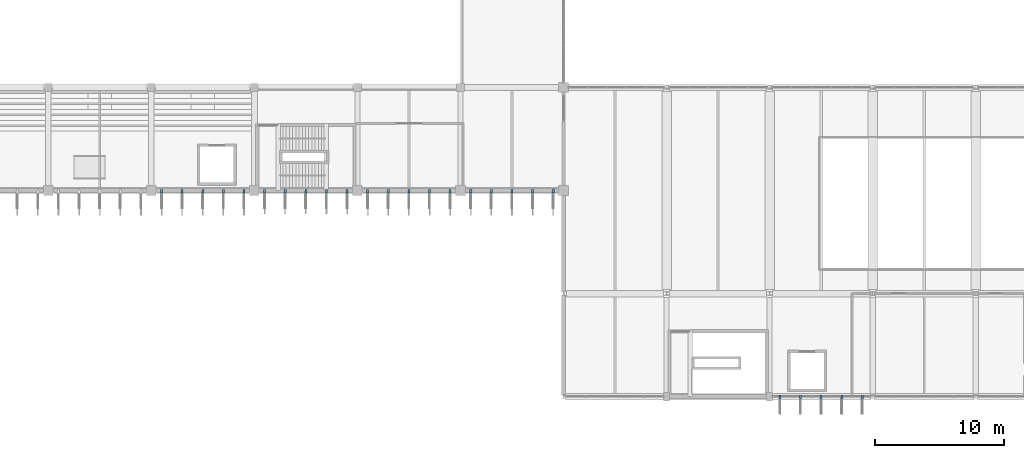
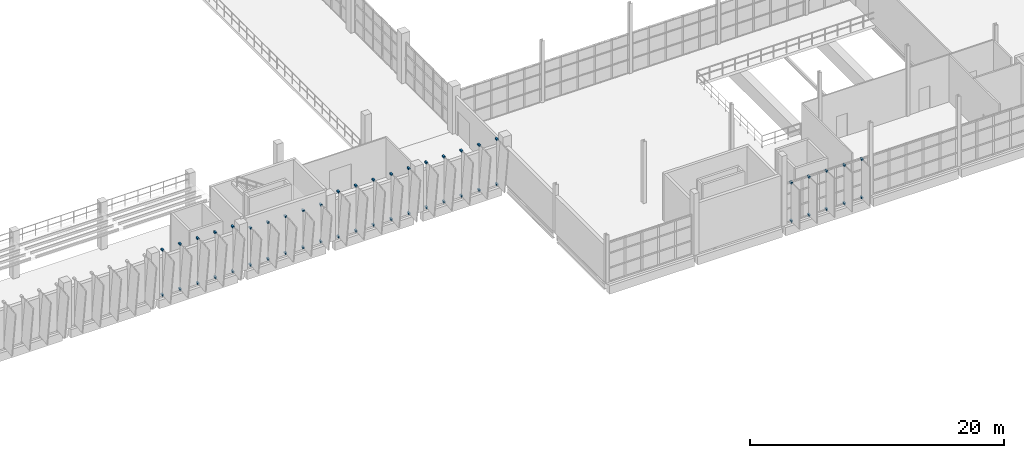
# One storey, part 81 of 93: 50 discrete accessories.
"""IFC4 building model written with IfcOpenShell, lengths in metres."""

from ifc_helpers import new_model, si_unit, direction, frame, origin, origin_2d, place, context, subcontext, project, spatial, rectangle, extrude, material, type_object, element, save


model = new_model("IFC4")

# Units and contexts
model_context = context("Model", 3, precision=1e-05, world=origin(), true_north=direction((0.0, 1.0)))
body_context = subcontext(model_context, "Body", "Model", "MODEL_VIEW")
ifc_project = project(units=[si_unit("LENGTHUNIT", "METRE"), si_unit("AREAUNIT", "SQUARE_METRE"), si_unit("VOLUMEUNIT", "CUBIC_METRE"), si_unit("PLANEANGLEUNIT", "RADIAN"), si_unit("MASSUNIT", "GRAM", prefix="KILO")], contexts=[model_context])

# Site, building, storey
site_placement = place(None, origin())
site = spatial("IfcSite", under=ifc_project, at=site_placement, CompositionType="ELEMENT")
building_placement = place(site_placement, origin())
building = spatial("IfcBuilding", under=site, at=building_placement, Name="Drelvana Railside Aquatics Centre", CompositionType="ELEMENT")
storey_placement = place(building_placement, frame((0.0, 0.0, 5.39990234375)))
storey = spatial("IfcBuildingStorey", under=building, at=storey_placement, Name="L01", CompositionType="ELEMENT", Elevation=5.39990234375)

# Discrete accessories
ifc_material = material(Name="Stainless steel 316 facade bracket", Category="steel")
discrete_accessory_type = type_object("IfcDiscreteAccessoryType", Name="ACC-BRACKET-FIN", PredefinedType="BRACKET", material=ifc_material)
for number, where, z_axis, x_axis, name in (
    (1, (64.800048828125, 15.925048828125, -0.0146484375), (0.0, 0.0, 1.0), (0.0, -1.0, 0.0), "Shading fin bracket BK-0179"),
    (2, (64.800048828125, 15.925048828125, 4.294921875), (0.0, 0.0, 1.0), (0.0, -1.0, 0.0), "Shading fin bracket BK-0180"),
    (3, (66.39990234375, 15.925048828125, -0.0146484375), (0.0, 0.0, 1.0), (0.0, -1.0, 0.0), "Shading fin bracket BK-0181"),
    (4, (66.39990234375, 15.925048828125, 4.294921875), (0.0, 0.0, 1.0), (0.0, -1.0, 0.0), "Shading fin bracket BK-0182"),
    (5, (68.0, 15.925048828125, -0.0146484375), (0.0, 0.0, 1.0), (0.0, -1.0, 0.0), "Shading fin bracket BK-0183"),
    (6, (68.0, 15.925048828125, 4.294921875), (0.0, 0.0, 1.0), (0.0, -1.0, 0.0), "Shading fin bracket BK-0184"),
    (7, (69.60009765625, 15.925048828125, -0.0146484375), (0.0, 0.0, 1.0), (0.0, -1.0, 0.0), "Shading fin bracket BK-0185"),
    (8, (69.60009765625, 15.925048828125, 4.294921875), (0.0, 0.0, 1.0), (0.0, -1.0, 0.0), "Shading fin bracket BK-0186"),
    (9, (71.199951171875, 15.925048828125, -0.0146484375), (0.0, 0.0, 1.0), (0.0, -1.0, 0.0), "Shading fin bracket BK-0187"),
    (10, (71.199951171875, 15.925048828125, 4.294921875), (0.0, 0.0, 1.0), (0.0, -1.0, 0.0), "Shading fin bracket BK-0188"),
    (11, (72.800048828125, 15.929931640625, 0.06494140625), (0.0, 0.0, 1.0), (0.0, -1.0, 0.0), "Shading fin bracket BK-0209"),
    (12, (72.800048828125, 15.929931640625, 3.60498046875), (0.0, 0.0, 1.0), (0.0, -1.0, 0.0), "Shading fin bracket BK-0210"),
    (13, (74.39990234375, 15.929931640625, 0.06494140625), (0.0, 0.0, 1.0), (0.0, -1.0, 0.0), "Shading fin bracket BK-0211"),
    (14, (74.39990234375, 15.929931640625, 3.60498046875), (0.0, 0.0, 1.0), (0.0, -1.0, 0.0), "Shading fin bracket BK-0212"),
    (15, (76.0, 15.929931640625, 0.06494140625), (0.0, 0.0, 1.0), (0.0, -1.0, 0.0), "Shading fin bracket BK-0213"),
    (16, (76.0, 15.929931640625, 3.60498046875), (0.0, 0.0, 1.0), (0.0, -1.0, 0.0), "Shading fin bracket BK-0214"),
    (17, (77.60009765625, 15.929931640625, 0.06494140625), (0.0, 0.0, 1.0), (0.0, -1.0, 0.0), "Shading fin bracket BK-0215"),
    (18, (77.60009765625, 15.929931640625, 3.60498046875), (0.0, 0.0, 1.0), (0.0, -1.0, 0.0), "Shading fin bracket BK-0216"),
    (19, (79.199951171875, 15.929931640625, 0.06494140625), (0.0, 0.0, 1.0), (0.0, -1.0, 0.0), "Shading fin bracket BK-0217"),
    (20, (79.199951171875, 15.929931640625, 3.60498046875), (0.0, 0.0, 1.0), (0.0, -1.0, 0.0), "Shading fin bracket BK-0218"),
    (21, (80.800048828125, 15.925048828125, -0.0146484375), (0.0, 0.0, 1.0), (0.0, -1.0, 0.0), "Shading fin bracket BK-0237"),
    (22, (80.800048828125, 15.925048828125, 4.294921875), (0.0, 0.0, 1.0), (0.0, -1.0, 0.0), "Shading fin bracket BK-0238"),
    (23, (82.39990234375, 15.925048828125, -0.0146484375), (0.0, 0.0, 1.0), (0.0, -1.0, 0.0), "Shading fin bracket BK-0239"),
    (24, (82.39990234375, 15.925048828125, 4.294921875), (0.0, 0.0, 1.0), (0.0, -1.0, 0.0), "Shading fin bracket BK-0240"),
    (25, (84.0, 15.925048828125, -0.0146484375), (0.0, 0.0, 1.0), (0.0, -1.0, 0.0), "Shading fin bracket BK-0241"),
    (26, (84.0, 15.925048828125, 4.294921875), (0.0, 0.0, 1.0), (0.0, -1.0, 0.0), "Shading fin bracket BK-0242"),
    (27, (85.60009765625, 15.925048828125, -0.0146484375), (0.0, 0.0, 1.0), (0.0, -1.0, 0.0), "Shading fin bracket BK-0243"),
    (28, (85.60009765625, 15.925048828125, 4.294921875), (0.0, 0.0, 1.0), (0.0, -1.0, 0.0), "Shading fin bracket BK-0244"),
    (29, (87.199951171875, 15.925048828125, -0.0146484375), (0.0, 0.0, 1.0), (0.0, -1.0, 0.0), "Shading fin bracket BK-0245"),
    (30, (87.199951171875, 15.925048828125, 4.294921875), (0.0, 0.0, 1.0), (0.0, -1.0, 0.0), "Shading fin bracket BK-0246"),
    (31, (88.800048828125, 15.925048828125, -0.0146484375), (0.0, 0.0, 1.0), (0.0, -1.0, 0.0), "Shading fin bracket BK-0269"),
    (32, (88.800048828125, 15.925048828125, 4.294921875), (0.0, 0.0, 1.0), (0.0, -1.0, 0.0), "Shading fin bracket BK-0270"),
    (33, (90.39990234375, 15.925048828125, -0.0146484375), (0.0, 0.0, 1.0), (0.0, -1.0, 0.0), "Shading fin bracket BK-0271"),
    (34, (90.39990234375, 15.925048828125, 4.294921875), (0.0, 0.0, 1.0), (0.0, -1.0, 0.0), "Shading fin bracket BK-0272"),
    (35, (92.0, 15.925048828125, -0.0146484375), (0.0, 0.0, 1.0), (0.0, -1.0, 0.0), "Shading fin bracket BK-0273"),
    (36, (92.0, 15.925048828125, 4.294921875), (0.0, 0.0, 1.0), (0.0, -1.0, 0.0), "Shading fin bracket BK-0274"),
    (37, (93.60009765625, 15.925048828125, -0.0146484375), (0.0, 0.0, 1.0), (0.0, -1.0, 0.0), "Shading fin bracket BK-0275"),
    (38, (93.60009765625, 15.925048828125, 4.294921875), (0.0, 0.0, 1.0), (0.0, -1.0, 0.0), "Shading fin bracket BK-0276"),
    (39, (95.199951171875, 15.925048828125, -0.0146484375), (0.0, 0.0, 1.0), (0.0, -1.0, 0.0), "Shading fin bracket BK-0277"),
    (40, (95.199951171875, 15.925048828125, 4.294921875), (0.0, 0.0, 1.0), (0.0, -1.0, 0.0), "Shading fin bracket BK-0278"),
    (41, (112.800048828125, -0.014892578125, -0.03466796875), (0.0, 0.0, 1.0), (0.0, -1.0, 0.0), "Shading fin bracket BK-0935"),
    (42, (112.800048828125, -0.014892578125, 3.625), (0.0, 0.0, 1.0), (0.0, -1.0, 0.0), "Shading fin bracket BK-0936"),
    (43, (114.39990234375, -0.014892578125, -0.03466796875), (0.0, 0.0, 1.0), (0.0, -1.0, 0.0), "Shading fin bracket BK-0937"),
    (44, (114.39990234375, -0.014892578125, 3.625), (0.0, 0.0, 1.0), (0.0, -1.0, 0.0), "Shading fin bracket BK-0938"),
    (45, (116.0, -0.014892578125, -0.03466796875), (0.0, 0.0, 1.0), (0.0, -1.0, 0.0), "Shading fin bracket BK-0939"),
    (46, (116.0, -0.014892578125, 3.625), (0.0, 0.0, 1.0), (0.0, -1.0, 0.0), "Shading fin bracket BK-0940"),
    (47, (117.60009765625, -0.014892578125, -0.03466796875), (0.0, 0.0, 1.0), (0.0, -1.0, 0.0), "Shading fin bracket BK-0941"),
    (48, (117.60009765625, -0.014892578125, 3.625), (0.0, 0.0, 1.0), (0.0, -1.0, 0.0), "Shading fin bracket BK-0942"),
    (49, (119.199951171875, -0.014892578125, -0.03466796875), (0.0, 0.0, 1.0), (0.0, -1.0, 0.0), "Shading fin bracket BK-0943"),
    (50, (119.199951171875, -0.014892578125, 3.625), (0.0, 0.0, 1.0), (0.0, -1.0, 0.0), "Shading fin bracket BK-0944"),
):
    element("IfcDiscreteAccessory", number, at=place(storey_placement, frame(where, z_axis=z_axis, x_axis=x_axis)), inside=storey, type_object=discrete_accessory_type, Name=name, PredefinedType="BRACKET", context=body_context, shape_type="SweptSolid", body=[
        extrude(rectangle(XDim=0.280029296875, YDim=0.159912109375, at=origin_2d()), origin(), (0.0, 0.0, 1.0), 0.159912109375),
    ])

save(model, "model.ifc")
